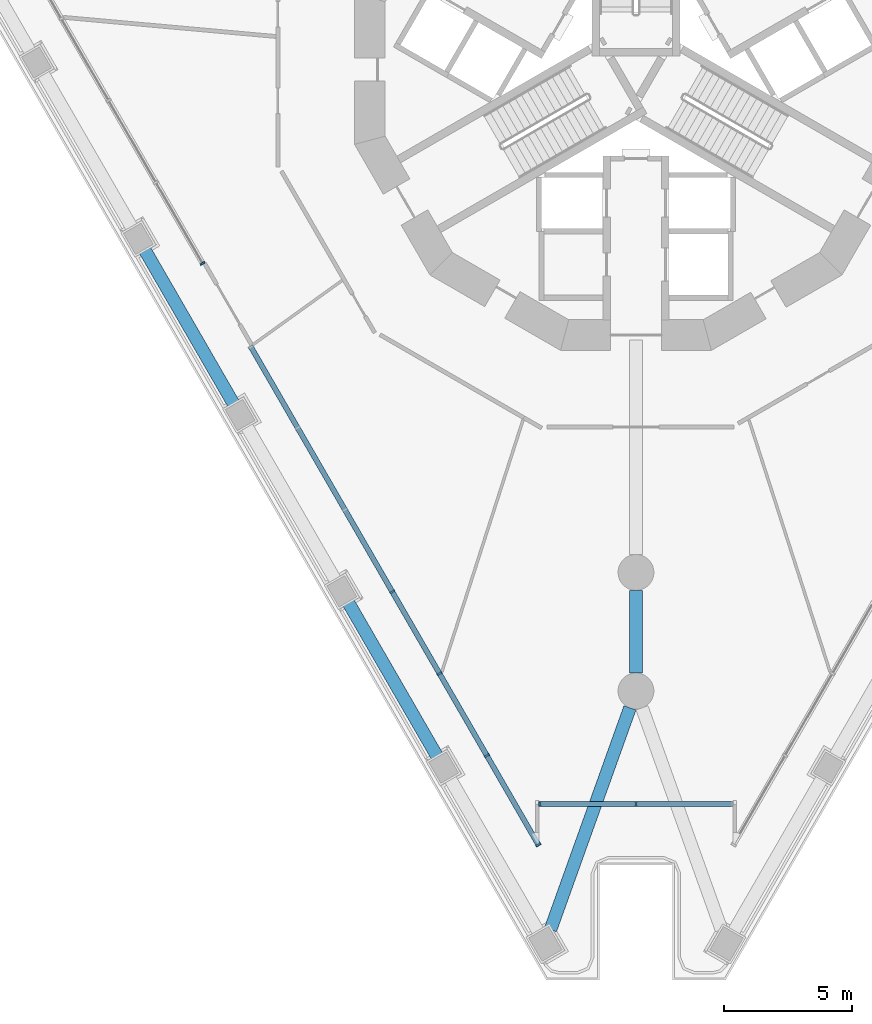
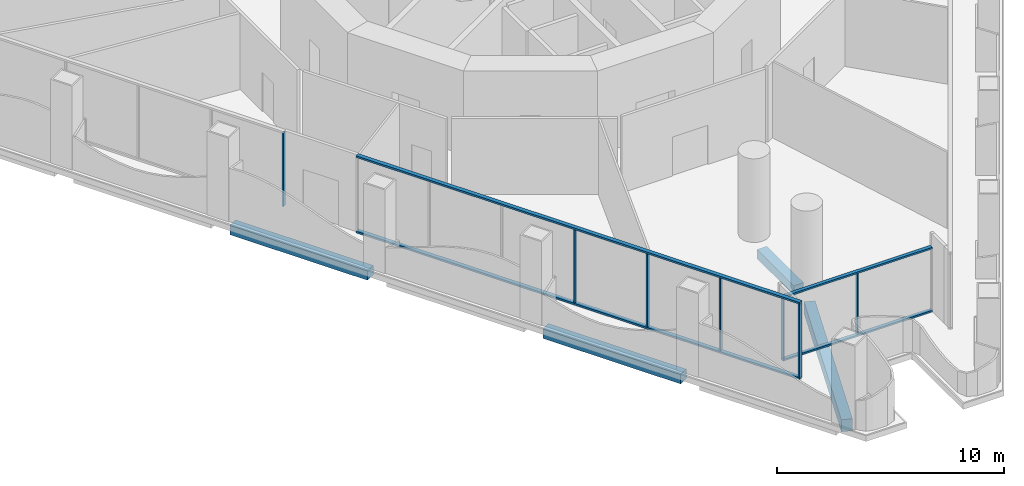
# One storey, part 2 of 21: 11 members, 4 beams, 3 elements without a shape of their own.
"""IFC4 building model written with IfcOpenShell, lengths in metres."""

import ifcopenshell
import ifcopenshell.guid

model = None  # the IFC model being written
_history = None  # IfcOwnerHistory: only IFC2X3 demands one
_inside = {}  # id of a spatial element -> (the spatial element, [elements in it])
_under = {}  # id of a project, library or spatial element -> (it, [spatial elements below it])
_declared = {}  # id of a project -> (the project, [libraries it declares])
_typed = {}  # id of a type object -> (the type object, [elements of that type])
_made_of = {}  # id of a material, layer set ... -> (it, [elements and type objects made of it])


def new_model(schema):
    """Start an empty IFC model of exactly this schema.

    Asked for "IFC4X3", IfcOpenShell would pick the latest addendum, in which some entities
    have other attributes; the version numbers below select the first issue.
    IFC2X3 requires an IfcOwnerHistory on every rooted entity: one is made here for all.
    """
    global model, _history
    if schema == "IFC4X3":
        model = ifcopenshell.file(schema_version=(4, 3, 0, 0))
    else:
        model = ifcopenshell.file(schema=schema)
    _inside.clear()
    _under.clear()
    _declared.clear()
    _typed.clear()
    _made_of.clear()
    _history = None
    if model.schema == "IFC2X3":
        org = make("IfcOrganization", Name="unknown")
        user = make(
            "IfcPersonAndOrganization",
            ThePerson=make("IfcPerson", FamilyName="unknown"),
            TheOrganization=org,
        )
        app = make(
            "IfcApplication",
            ApplicationDeveloper=org,
            Version="unknown",
            ApplicationFullName="unknown",
            ApplicationIdentifier="unknown",
        )
        _history = make(
            "IfcOwnerHistory",
            OwningUser=user,
            OwningApplication=app,
            ChangeAction="ADDED",
            CreationDate=0,
        )
    return model


def make(cls, **values):
    """One entity of the class cls with the attributes given. An attribute that is None is left unset."""
    return model.create_entity(
        cls, **{name: value for name, value in values.items() if value is not None}
    )


def rooted(cls, **values):
    """An entity with a GlobalId (a new one), such as an element, a storey or a relation."""
    return make(cls, GlobalId=ifcopenshell.guid.new(), OwnerHistory=_history, **values)


def si_unit(unit_type, name, prefix=None):
    """IfcSIUnit, for example si_unit("LENGTHUNIT", "METRE", prefix="MILLI")."""
    return make("IfcSIUnit", UnitType=unit_type, Prefix=prefix, Name=name)


def assignment(units):
    """IfcUnitAssignment: the units of a project."""
    return None if units is None else make("IfcUnitAssignment", Units=units)


def point(xyz):
    """IfcCartesianPoint."""
    return None if xyz is None else make("IfcCartesianPoint", Coordinates=xyz)


def direction(xyz):
    """IfcDirection."""
    return None if xyz is None else make("IfcDirection", DirectionRatios=xyz)


def frame(location, z_axis=None, x_axis=None):
    """IfcAxis2Placement3D, a coordinate frame: its origin and axes. An axis left out is left unset."""
    return make(
        "IfcAxis2Placement3D",
        Location=point(location),
        Axis=direction(z_axis),
        RefDirection=direction(x_axis),
    )


def frame_2d(location, x_axis=None):
    """IfcAxis2Placement2D, a coordinate frame in the plane: its origin and x axis."""
    return make(
        "IfcAxis2Placement2D", Location=point(location), RefDirection=direction(x_axis)
    )


def origin():
    """The frame at (0, 0, 0) with its axes left unset."""
    return frame((0.0, 0.0, 0.0))


def origin_2d():
    """The frame at (0, 0) in the plane with its x axis left unset."""
    return frame_2d((0.0, 0.0))


def place(relative_to, where):
    """IfcLocalPlacement: puts the frame where relative to a parent placement (None: the world)."""
    return make(
        "IfcLocalPlacement", PlacementRelTo=relative_to, RelativePlacement=where
    )


def context(
    kind, dimensions, precision=None, world=None, true_north=None, identifier=None
):
    """IfcGeometricRepresentationContext, for example the 3D "Model" context."""
    return make(
        "IfcGeometricRepresentationContext",
        ContextIdentifier=identifier,
        ContextType=kind,
        CoordinateSpaceDimension=dimensions,
        Precision=precision,
        WorldCoordinateSystem=world,
        TrueNorth=true_north,
    )


def subcontext(parent, identifier, kind, view, scale=None):
    """IfcGeometricRepresentationSubContext, for example "Body" below "Model"."""
    return make(
        "IfcGeometricRepresentationSubContext",
        ContextIdentifier=identifier,
        ContextType=kind,
        ParentContext=parent,
        TargetScale=scale,
        TargetView=view,
    )


def project(units=None, contexts=None):
    """IfcProject with its units and contexts."""
    return rooted(
        "IfcProject",
        Name="project",
        RepresentationContexts=contexts,
        UnitsInContext=assignment(units),
    )


def spatial(cls, under=None, at=None, **own):
    """A site, building, storey or space (cls), placed at a placement, below another one or the project."""
    s = rooted(cls, ObjectPlacement=at, **own)
    if under is not None:
        _under.setdefault(under.id(), (under, []))[1].append(s)
    return s


def profile(cls, at=None, kind="AREA", **sizes):
    """A parametric profile (cls). Its sizes go by their IFC names, for example OverallWidth=200.0."""
    return make(cls, ProfileType=kind, Position=at, **sizes)


def rectangle(**sizes):
    """IfcRectangleProfileDef."""
    return profile("IfcRectangleProfileDef", **sizes)


def extrude(swept, where, along, depth):
    """IfcExtrudedAreaSolid: the profile swept, set in the frame where, extruded along a direction by depth."""
    return make(
        "IfcExtrudedAreaSolid",
        SweptArea=swept,
        Position=where,
        ExtrudedDirection=direction(along),
        Depth=depth,
    )


def shape(context_of_items, identifier, shape_type, items):
    """IfcShapeRepresentation: the items that make up one representation, for example the "Body"."""
    return make(
        "IfcShapeRepresentation",
        ContextOfItems=context_of_items,
        RepresentationIdentifier=identifier,
        RepresentationType=shape_type,
        Items=items,
    )


def material(Name=None, Category=None):
    """IfcMaterial."""
    return make("IfcMaterial", Name=Name, Category=Category)


def layer(
    of_material, thickness, ventilated=None, Name=None, Category=None, Priority=None
):
    """IfcMaterialLayer: one layer of a wall or slab, of a material (None: an air gap)."""
    return make(
        "IfcMaterialLayer",
        Material=of_material,
        LayerThickness=thickness,
        IsVentilated=ventilated,
        Name=Name,
        Category=Category,
        Priority=Priority,
    )


def layer_set(layers, Name=None):
    """IfcMaterialLayerSet."""
    return make("IfcMaterialLayerSet", MaterialLayers=layers, LayerSetName=Name)


def material_profile(
    of_material, cross_section, Name=None, Category=None, Priority=None
):
    """IfcMaterialProfile: a cross section and its material."""
    return make(
        "IfcMaterialProfile",
        Name=Name,
        Material=of_material,
        Profile=cross_section,
        Priority=Priority,
        Category=Category,
    )


def profile_set(profiles, Name=None, composite=None):
    """IfcMaterialProfileSet."""
    return make(
        "IfcMaterialProfileSet",
        Name=Name,
        MaterialProfiles=profiles,
        CompositeProfile=composite,
    )


def made_of(thing, what):
    """Note that an element or type object is made of a material, layer set ...; save() writes the relation."""
    if what is not None:
        _made_of.setdefault(what.id(), (what, []))[1].append(thing)
    return thing


def type_object(cls, material=None, **own):
    """A type object (cls), such as IfcWallType, which elements share."""
    return made_of(rooted(cls, **own), material)


def element(
    cls,
    number,
    at=None,
    inside=None,
    cuts=None,
    type_object=None,
    material=None,
    context=None,
    identifier="Body",
    shape_type=None,
    held_by="IfcProductDefinitionShape",
    body=None,
    shapes=None,
    **own,
):
    """One element of the class cls, such as IfcWall. Its Tag is "e" and its number.

    at: its placement. inside: the storey or other place that contains it. cuts: it is an
    opening in that element (IfcRelVoidsElement). A single representation is given by context,
    identifier, shape_type and body (its items); several are given by shapes. held_by: the class
    of the entity that holds the representations. save() writes the other relations.
    """
    e = rooted(cls, Tag="e%d" % number, ObjectPlacement=at, **own)
    if body is not None:
        shapes = [shape(context, identifier, shape_type, body)]
    if shapes is not None:
        e.Representation = make(held_by, Representations=shapes)
    if inside is not None:
        _inside.setdefault(inside.id(), (inside, []))[1].append(e)
    if cuts is not None:
        rooted(
            "IfcRelVoidsElement", RelatingBuildingElement=cuts, RelatedOpeningElement=e
        )
    if type_object is not None:
        _typed.setdefault(type_object.id(), (type_object, []))[1].append(e)
    return made_of(e, material)


def aggregate(whole, parts):
    """IfcRelAggregates: a whole, such as a stair, and the parts it consists of."""
    return rooted("IfcRelAggregates", RelatingObject=whole, RelatedObjects=parts)


def save(model, path):
    """Write the relations noted so far, then the file.

    IfcRelAggregates (storeys below a building ...), IfcRelContainedInSpatialStructure (elements
    in a storey), IfcRelDefinesByType, IfcRelAssociatesMaterial and IfcRelDeclares: one each for
    every whole, place, type object, material and project.
    """
    for whole, parts in _under.values():
        aggregate(whole, parts)
    for where, things in _inside.values():
        rooted(
            "IfcRelContainedInSpatialStructure",
            RelatedElements=things,
            RelatingStructure=where,
        )
    for kind, things in _typed.values():
        rooted("IfcRelDefinesByType", RelatedObjects=things, RelatingType=kind)
    for what, things in _made_of.values():
        rooted("IfcRelAssociatesMaterial", RelatedObjects=things, RelatingMaterial=what)
    for by, libraries in _declared.values():
        rooted("IfcRelDeclares", RelatingContext=by, RelatedDefinitions=libraries)
    model.write(path)


model = new_model("IFC4")

# Units and contexts
model_context = context("Model", 3, precision=1e-05, world=origin(), true_north=direction((0.0, 1.0)))
body_context = subcontext(model_context, "Body", "Model", "MODEL_VIEW")
ifc_project = project(units=[si_unit("LENGTHUNIT", "METRE"), si_unit("AREAUNIT", "SQUARE_METRE"), si_unit("VOLUMEUNIT", "CUBIC_METRE"), si_unit("PLANEANGLEUNIT", "RADIAN"), si_unit("MASSUNIT", "GRAM", prefix="KILO")], contexts=[model_context])

# Site, building, storey
site_placement = place(None, origin())
site = spatial("IfcSite", under=ifc_project, at=site_placement, CompositionType="ELEMENT")
building_placement = place(site_placement, origin())
building = spatial("IfcBuilding", under=site, at=building_placement, Name="Trine Commons Tower", CompositionType="ELEMENT")
storey_placement = place(building_placement, frame((0.0, 0.0, 13.5)))
storey = spatial("IfcBuildingStorey", under=building, at=storey_placement, Name="L02", CompositionType="ELEMENT", Elevation=13.5)

# Curtain wall, members
ifc_material_1 = material(Name="Corner pocket glazing: anodised aluminium frame with low-emissivity double glazed unit, laminated", Category="aluminium")
ifc_layer_1 = layer(ifc_material_1, 0.179931640625)
ifc_layer_set_1 = layer_set([ifc_layer_1], Name="Corner pocket glazing: anodised aluminium frame with low-emissivity double glazed unit, laminated")
curtain_wall_type_1 = type_object("IfcCurtainWallType", Name="Corner pocket glazing curtain wall CW8", PredefinedType="NOTDEFINED", material=ifc_layer_set_1)
curtain_wall_1_placement = place(storey_placement, origin())
curtain_wall_1 = element("IfcCurtainWall", 1, at=curtain_wall_1_placement, inside=storey, type_object=curtain_wall_type_1, Name="Corner pocket glazing L02 P3.1", PredefinedType="NOTDEFINED")
ifc_material_2 = material(Name="Anodised aluminium, bronze finish", Category="aluminium")
ifc_material_profile_1 = material_profile(ifc_material_2, rectangle(XDim=0.179931640625, YDim=0.06494140625, at=origin_2d()), Name="Mullion 65x180")
ifc_profile_set_1 = profile_set([ifc_material_profile_1], Name="Anodised aluminium, bronze finish")
member_type_1 = type_object("IfcMemberType", Name="Mullion 65x180, Anodised aluminium, bronze finish", PredefinedType="MULLION", material=ifc_profile_set_1)
member_1_placement = place(storey_placement, frame((80.0, 33.74072265625, 0.090087890625), z_axis=(0.0, 0.0, 1.0), x_axis=(0.0, -1.0, 0.0)))
member_1 = element("IfcMember", 2, at=member_1_placement, type_object=member_type_1, Name="CW8 mullion 2.1", PredefinedType="MULLION", context=body_context, shape_type="SweptSolid", body=[
    extrude(rectangle(XDim=0.179931640625, YDim=0.06494140625, at=origin_2d()), origin(), (0.0, 0.0, 1.0), 3.2998046875),
])
member_2_placement = place(storey_placement, frame((76.232421875, 33.74072265625, 0.090087890625), z_axis=(0.0, 0.0, 1.0), x_axis=(0.0, -1.0, 0.0)))
member_2 = element("IfcMember", 3, at=member_2_placement, type_object=member_type_1, Name="CW8 mullion 3.1", PredefinedType="MULLION", context=body_context, shape_type="SweptSolid", body=[
    extrude(rectangle(XDim=0.179931640625, YDim=0.06494140625, at=origin_2d()), origin(), (0.0, 0.0, 1.0), 3.2998046875),
])

ifc_material_3 = material(Name="Podium glazing: anodised aluminium frame with low-emissivity double glazed unit", Category="aluminium")
ifc_layer_2 = layer(ifc_material_3, 0.199951171875)
ifc_layer_set_2 = layer_set([ifc_layer_2], Name="Podium glazing: anodised aluminium frame with low-emissivity double glazed unit")
curtain_wall_type_2 = type_object("IfcCurtainWallType", Name="Podium glazing curtain wall CW3", PredefinedType="NOTDEFINED", material=ifc_layer_set_2)
curtain_wall_2_placement = place(storey_placement, origin())
curtain_wall_2 = element("IfcCurtainWall", 4, at=curtain_wall_2_placement, inside=storey, type_object=curtain_wall_type_2, Name="Podium glazing L02 F3.1", PredefinedType="NOTDEFINED")
ifc_material_profile_2 = material_profile(ifc_material_2, rectangle(XDim=0.199951171875, YDim=0.074951171875, at=origin_2d()), Name="Mullion 75x200")
ifc_profile_set_2 = profile_set([ifc_material_profile_2], Name="Anodised aluminium, bronze finish")
member_type_2 = type_object("IfcMemberType", Name="Mullion 75x200, Anodised aluminium, bronze finish", PredefinedType="MULLION", material=ifc_profile_set_2)
member_3_placement = place(storey_placement, frame((76.18115234375, 32.14501953125, 0.10009765625), z_axis=(0.0, 0.0, 1.0), x_axis=(-0.866025403784, -0.5, 0.0)))
member_3 = element("IfcMember", 5, at=member_3_placement, type_object=member_type_2, Name="CW3 mullion 1.1", PredefinedType="MULLION", context=body_context, shape_type="SweptSolid", body=[
    extrude(rectangle(XDim=0.199951171875, YDim=0.074951171875, at=origin_2d()), origin(), (0.0, 0.0, 1.0), 3.949951171875),
])
member_4_placement = place(storey_placement, frame((74.163818359375, 35.63916015625, 0.10009765625), z_axis=(0.0, 0.0, 1.0), x_axis=(-0.866025403784, -0.5, 0.0)))
member_4 = element("IfcMember", 6, at=member_4_placement, type_object=member_type_2, Name="CW3 mullion 2.1", PredefinedType="MULLION", context=body_context, shape_type="SweptSolid", body=[
    extrude(rectangle(XDim=0.199951171875, YDim=0.074951171875, at=origin_2d()), origin(), (0.0, 0.0, 1.0), 3.949951171875),
])
member_5_placement = place(storey_placement, frame((72.314453125, 38.842529296875, 0.10009765625), z_axis=(0.0, 0.0, 1.0), x_axis=(-0.866025403784, -0.5, 0.0)))
member_5 = element("IfcMember", 7, at=member_5_placement, type_object=member_type_2, Name="CW3 mullion 3.1", PredefinedType="MULLION", context=body_context, shape_type="SweptSolid", body=[
    extrude(rectangle(XDim=0.199951171875, YDim=0.074951171875, at=origin_2d()), origin(), (0.0, 0.0, 1.0), 3.949951171875),
])
member_6_placement = place(storey_placement, frame((70.465087890625, 42.0458984375, 0.10009765625), z_axis=(0.0, 0.0, 1.0), x_axis=(-0.866025403784, -0.5, 0.0)))
member_6 = element("IfcMember", 8, at=member_6_placement, type_object=member_type_2, Name="CW3 mullion 4.1", PredefinedType="MULLION", context=body_context, shape_type="SweptSolid", body=[
    extrude(rectangle(XDim=0.199951171875, YDim=0.074951171875, at=origin_2d()), origin(), (0.0, 0.0, 1.0), 3.949951171875),
])

# Curtain wall, member
curtain_wall_3_placement = place(storey_placement, origin())
curtain_wall_3 = element("IfcCurtainWall", 9, at=curtain_wall_3_placement, inside=storey, type_object=curtain_wall_type_2, Name="Podium glazing L02 F3.2", PredefinedType="NOTDEFINED")
member_7_placement = place(storey_placement, frame((63.048583984375, 54.8916015625, 0.10009765625), z_axis=(0.0, 0.0, 1.0), x_axis=(-0.866025403784, -0.5, 0.0)))
member_7 = element("IfcMember", 10, at=member_7_placement, type_object=member_type_2, Name="CW3 mullion 1.1", PredefinedType="MULLION", context=body_context, shape_type="SweptSolid", body=[
    extrude(rectangle(XDim=0.199951171875, YDim=0.074951171875, at=origin_2d()), origin(), (0.0, 0.0, 1.0), 3.949951171875),
])
aggregate(curtain_wall_3, [member_7])

# Beams
ifc_material_4 = material(Name="Concrete C50/60", Category="concrete")
ifc_material_profile_3 = material_profile(ifc_material_4, rectangle(XDim=0.5, YDim=0.5, at=origin_2d()), Name="RC 500x500")
ifc_profile_set_3 = profile_set([ifc_material_profile_3], Name="Concrete C50/60")
beam_type_1 = type_object("IfcBeamType", Name="RC beam 500x500, C50/60", PredefinedType="BEAM", material=ifc_profile_set_3)
beam_1_placement = place(storey_placement, frame((72.236328125, 35.577880859375, -0.60009765625), z_axis=(-0.500017753321, 0.866015153657, 0.0), x_axis=(-0.866015153657, -0.500017753321, 0.0)))
element("IfcBeam", 11, at=beam_1_placement, inside=storey, type_object=beam_type_1, Name="Beam EB1-02 L02", PredefinedType="BEAM", context=body_context, shape_type="SweptSolid", body=[
    extrude(rectangle(XDim=0.5, YDim=0.5, at=origin_2d()), origin(), (0.0, 0.0, 1.0), 7.013427734375),
])
beam_2_placement = place(storey_placement, frame((64.27294921875, 49.370849609375, -0.60009765625), z_axis=(-0.499991645397, 0.866030227263, 0.0), x_axis=(-0.866030227263, -0.499991645397, 0.0)))
element("IfcBeam", 12, at=beam_2_placement, inside=storey, type_object=beam_type_1, Name="Beam EB1-04 L02", PredefinedType="BEAM", context=body_context, shape_type="SweptSolid", body=[
    extrude(rectangle(XDim=0.5, YDim=0.5, at=origin_2d()), origin(), (0.0, 0.0, 1.0), 7.01318359375),
])
beam_3_placement = place(storey_placement, frame((80.0, 42.102783203125, -0.60009765625), z_axis=(0.0, -1.0, 0.0), x_axis=(1.0, 0.0, 0.0)))
element("IfcBeam", 13, at=beam_3_placement, inside=storey, type_object=beam_type_1, Name="Beam RB1-02 L02", PredefinedType="BEAM", context=body_context, shape_type="SweptSolid", body=[
    extrude(rectangle(XDim=0.5, YDim=0.5, at=origin_2d()), origin(), (0.0, 0.0, 1.0), 3.240478515625),
])
ifc_material_profile_4 = material_profile(ifc_material_4, rectangle(XDim=0.5, YDim=0.64990234375, at=origin_2d()), Name="RC 500x650")
ifc_profile_set_4 = profile_set([ifc_material_profile_4], Name="Concrete C50/60")
beam_type_2 = type_object("IfcBeamType", Name="RC beam 500x650, C50/60", PredefinedType="BEAM", material=ifc_profile_set_4)
beam_4_placement = place(storey_placement, frame((76.654541015625, 28.8251953125, -0.675048828125), z_axis=(0.337305880684, 0.941395104542, 0.0), x_axis=(-0.941395104542, 0.337305880684, 0.0)))
element("IfcBeam", 14, at=beam_4_placement, inside=storey, type_object=beam_type_2, Name="Beam CB1-06 L02", PredefinedType="BEAM", context=body_context, shape_type="SweptSolid", body=[
    extrude(rectangle(XDim=0.5, YDim=0.64990234375, at=origin_2d()), origin(), (0.0, 0.0, 1.0), 9.218994140625),
])

# Member
ifc_material_profile_5 = material_profile(ifc_material_2, rectangle(XDim=0.199951171875, YDim=0.10009765625, at=origin_2d()), Name="Transom 100x200")
ifc_profile_set_5 = profile_set([ifc_material_profile_5], Name="Anodised aluminium, bronze finish")
member_type_3 = type_object("IfcMemberType", Name="Transom 100x200, Anodised aluminium, bronze finish", PredefinedType="USERDEFINED", material=ifc_profile_set_5)
member_8_placement = place(storey_placement, frame((76.199951171875, 32.112548828125, 0.050048828125), z_axis=(-0.499997470867, 0.866026863975, 0.0), x_axis=(-0.866026863975, -0.499997470867, 0.0)))
member_8 = element("IfcMember", 15, at=member_8_placement, type_object=member_type_3, Name="CW3 transom T00", ObjectType="TRANSOM", PredefinedType="USERDEFINED", context=body_context, shape_type="SweptSolid", body=[
    extrude(rectangle(XDim=0.199951171875, YDim=0.10009765625, at=origin_2d()), origin(), (0.0, 0.0, 1.0), 22.56640625),
])

member_9_placement = place(storey_placement, frame((76.199951171875, 32.112548828125, 4.10009765625), z_axis=(-0.499997470867, 0.866026863975, 0.0), x_axis=(-0.866026863975, -0.499997470867, 0.0)))
member_9 = element("IfcMember", 16, at=member_9_placement, type_object=member_type_3, Name="CW3 transom TH00", ObjectType="TRANSOM", PredefinedType="USERDEFINED", context=body_context, shape_type="SweptSolid", body=[
    extrude(rectangle(XDim=0.199951171875, YDim=0.10009765625, at=origin_2d()), origin(), (0.0, 0.0, 1.0), 22.56640625),
])

aggregate(curtain_wall_2, [member_8, member_9, member_3, member_4, member_5, member_6])

ifc_material_profile_6 = material_profile(ifc_material_2, rectangle(XDim=0.179931640625, YDim=0.090087890625, at=origin_2d()), Name="Transom 90x180")
ifc_profile_set_6 = profile_set([ifc_material_profile_6], Name="Anodised aluminium, bronze finish")
member_type_4 = type_object("IfcMemberType", Name="Transom 90x180, Anodised aluminium, bronze finish", PredefinedType="USERDEFINED", material=ifc_profile_set_6)
member_10_placement = place(storey_placement, frame((83.800048828125, 33.74072265625, 0.044921875), z_axis=(-1.0, 0.0, 0.0), x_axis=(0.0, -1.0, 0.0)))
member_10 = element("IfcMember", 17, at=member_10_placement, type_object=member_type_4, Name="CW8 transom T00", ObjectType="TRANSOM", PredefinedType="USERDEFINED", context=body_context, shape_type="SweptSolid", body=[
    extrude(rectangle(XDim=0.179931640625, YDim=0.090087890625, at=origin_2d()), origin(), (0.0, 0.0, 1.0), 7.60009765625),
])

member_11_placement = place(storey_placement, frame((83.800048828125, 33.74072265625, 3.43505859375), z_axis=(-1.0, 0.0, 0.0), x_axis=(0.0, -1.0, 0.0)))
member_11 = element("IfcMember", 18, at=member_11_placement, type_object=member_type_4, Name="CW8 transom TH00", ObjectType="TRANSOM", PredefinedType="USERDEFINED", context=body_context, shape_type="SweptSolid", body=[
    extrude(rectangle(XDim=0.179931640625, YDim=0.090087890625, at=origin_2d()), origin(), (0.0, 0.0, 1.0), 7.60009765625),
])

aggregate(curtain_wall_1, [member_10, member_11, member_1, member_2])

save(model, "model.ifc")
